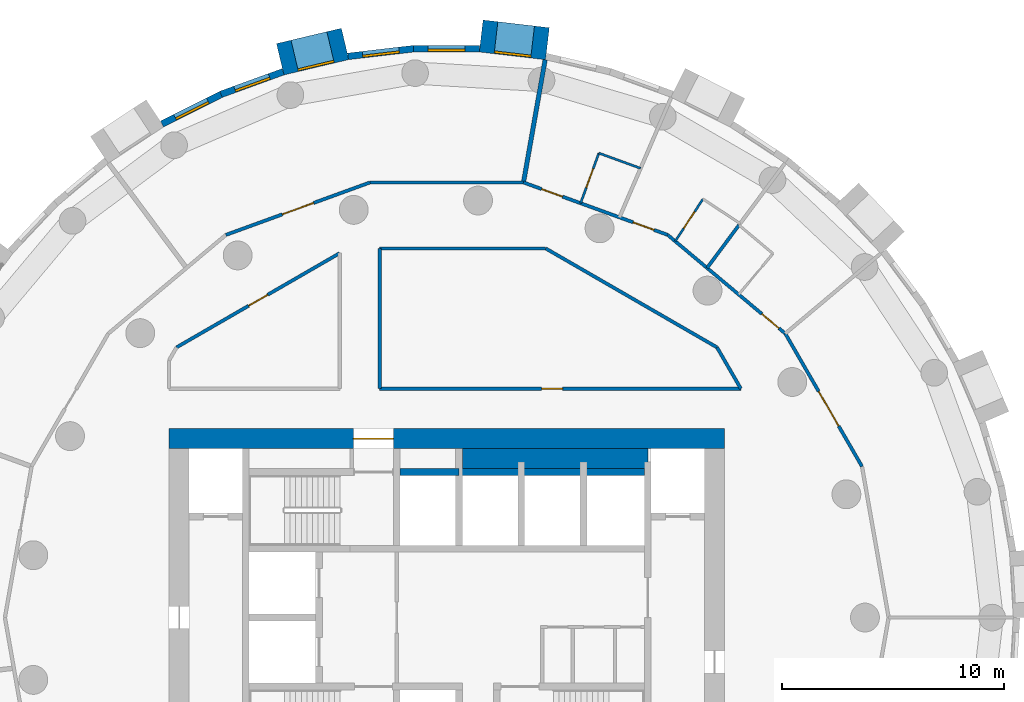
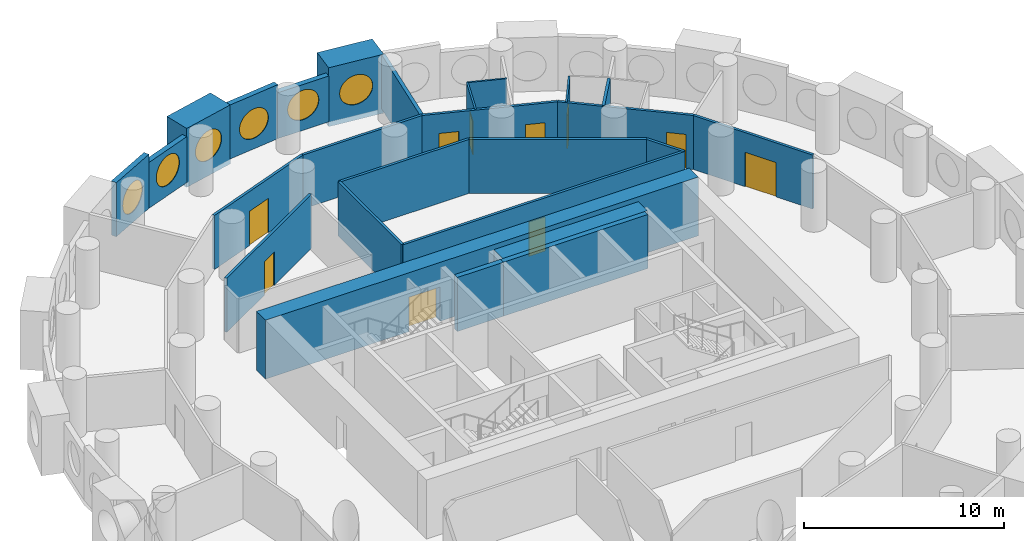
# One storey, part 6 of 9: 26 walls, 10 doors, 6 windows, 16 openings.
"""IFC4 building model written with IfcOpenShell, lengths in metres."""

import ifcopenshell
import ifcopenshell.guid

model = None  # the IFC model being written
_history = None  # IfcOwnerHistory: only IFC2X3 demands one
_inside = {}  # id of a spatial element -> (the spatial element, [elements in it])
_under = {}  # id of a project, library or spatial element -> (it, [spatial elements below it])
_declared = {}  # id of a project -> (the project, [libraries it declares])
_typed = {}  # id of a type object -> (the type object, [elements of that type])
_made_of = {}  # id of a material, layer set ... -> (it, [elements and type objects made of it])


def new_model(schema):
    """Start an empty IFC model of exactly this schema.

    Asked for "IFC4X3", IfcOpenShell would pick the latest addendum, in which some entities
    have other attributes; the version numbers below select the first issue.
    IFC2X3 requires an IfcOwnerHistory on every rooted entity: one is made here for all.
    """
    global model, _history
    if schema == "IFC4X3":
        model = ifcopenshell.file(schema_version=(4, 3, 0, 0))
    else:
        model = ifcopenshell.file(schema=schema)
    _inside.clear()
    _under.clear()
    _declared.clear()
    _typed.clear()
    _made_of.clear()
    _history = None
    if model.schema == "IFC2X3":
        org = make("IfcOrganization", Name="unknown")
        user = make(
            "IfcPersonAndOrganization",
            ThePerson=make("IfcPerson", FamilyName="unknown"),
            TheOrganization=org,
        )
        app = make(
            "IfcApplication",
            ApplicationDeveloper=org,
            Version="unknown",
            ApplicationFullName="unknown",
            ApplicationIdentifier="unknown",
        )
        _history = make(
            "IfcOwnerHistory",
            OwningUser=user,
            OwningApplication=app,
            ChangeAction="ADDED",
            CreationDate=0,
        )
    return model


def make(cls, **values):
    """One entity of the class cls with the attributes given. An attribute that is None is left unset."""
    return model.create_entity(
        cls, **{name: value for name, value in values.items() if value is not None}
    )


def rooted(cls, **values):
    """An entity with a GlobalId (a new one), such as an element, a storey or a relation."""
    return make(cls, GlobalId=ifcopenshell.guid.new(), OwnerHistory=_history, **values)


def si_unit(unit_type, name, prefix=None):
    """IfcSIUnit, for example si_unit("LENGTHUNIT", "METRE", prefix="MILLI")."""
    return make("IfcSIUnit", UnitType=unit_type, Prefix=prefix, Name=name)


def assignment(units):
    """IfcUnitAssignment: the units of a project."""
    return None if units is None else make("IfcUnitAssignment", Units=units)


def point(xyz):
    """IfcCartesianPoint."""
    return None if xyz is None else make("IfcCartesianPoint", Coordinates=xyz)


def direction(xyz):
    """IfcDirection."""
    return None if xyz is None else make("IfcDirection", DirectionRatios=xyz)


def frame(location, z_axis=None, x_axis=None):
    """IfcAxis2Placement3D, a coordinate frame: its origin and axes. An axis left out is left unset."""
    return make(
        "IfcAxis2Placement3D",
        Location=point(location),
        Axis=direction(z_axis),
        RefDirection=direction(x_axis),
    )


def frame_2d(location, x_axis=None):
    """IfcAxis2Placement2D, a coordinate frame in the plane: its origin and x axis."""
    return make(
        "IfcAxis2Placement2D", Location=point(location), RefDirection=direction(x_axis)
    )


def origin():
    """The frame at (0, 0, 0) with its axes left unset."""
    return frame((0.0, 0.0, 0.0))


def origin_2d():
    """The frame at (0, 0) in the plane with its x axis left unset."""
    return frame_2d((0.0, 0.0))


def place(relative_to, where):
    """IfcLocalPlacement: puts the frame where relative to a parent placement (None: the world)."""
    return make(
        "IfcLocalPlacement", PlacementRelTo=relative_to, RelativePlacement=where
    )


def context(
    kind, dimensions, precision=None, world=None, true_north=None, identifier=None
):
    """IfcGeometricRepresentationContext, for example the 3D "Model" context."""
    return make(
        "IfcGeometricRepresentationContext",
        ContextIdentifier=identifier,
        ContextType=kind,
        CoordinateSpaceDimension=dimensions,
        Precision=precision,
        WorldCoordinateSystem=world,
        TrueNorth=true_north,
    )


def subcontext(parent, identifier, kind, view, scale=None):
    """IfcGeometricRepresentationSubContext, for example "Body" below "Model"."""
    return make(
        "IfcGeometricRepresentationSubContext",
        ContextIdentifier=identifier,
        ContextType=kind,
        ParentContext=parent,
        TargetScale=scale,
        TargetView=view,
    )


def project(units=None, contexts=None):
    """IfcProject with its units and contexts."""
    return rooted(
        "IfcProject",
        Name="project",
        RepresentationContexts=contexts,
        UnitsInContext=assignment(units),
    )


def spatial(cls, under=None, at=None, **own):
    """A site, building, storey or space (cls), placed at a placement, below another one or the project."""
    s = rooted(cls, ObjectPlacement=at, **own)
    if under is not None:
        _under.setdefault(under.id(), (under, []))[1].append(s)
    return s


def profile(cls, at=None, kind="AREA", **sizes):
    """A parametric profile (cls). Its sizes go by their IFC names, for example OverallWidth=200.0."""
    return make(cls, ProfileType=kind, Position=at, **sizes)


def rectangle(**sizes):
    """IfcRectangleProfileDef."""
    return profile("IfcRectangleProfileDef", **sizes)


def circle(**sizes):
    """IfcCircleProfileDef."""
    return profile("IfcCircleProfileDef", **sizes)


def extrude(swept, where, along, depth):
    """IfcExtrudedAreaSolid: the profile swept, set in the frame where, extruded along a direction by depth."""
    return make(
        "IfcExtrudedAreaSolid",
        SweptArea=swept,
        Position=where,
        ExtrudedDirection=direction(along),
        Depth=depth,
    )


def shape(context_of_items, identifier, shape_type, items):
    """IfcShapeRepresentation: the items that make up one representation, for example the "Body"."""
    return make(
        "IfcShapeRepresentation",
        ContextOfItems=context_of_items,
        RepresentationIdentifier=identifier,
        RepresentationType=shape_type,
        Items=items,
    )


def material(Name=None, Category=None):
    """IfcMaterial."""
    return make("IfcMaterial", Name=Name, Category=Category)


def layer(
    of_material, thickness, ventilated=None, Name=None, Category=None, Priority=None
):
    """IfcMaterialLayer: one layer of a wall or slab, of a material (None: an air gap)."""
    return make(
        "IfcMaterialLayer",
        Material=of_material,
        LayerThickness=thickness,
        IsVentilated=ventilated,
        Name=Name,
        Category=Category,
        Priority=Priority,
    )


def layer_set(layers, Name=None):
    """IfcMaterialLayerSet."""
    return make("IfcMaterialLayerSet", MaterialLayers=layers, LayerSetName=Name)


def made_of(thing, what):
    """Note that an element or type object is made of a material, layer set ...; save() writes the relation."""
    if what is not None:
        _made_of.setdefault(what.id(), (what, []))[1].append(thing)
    return thing


def type_object(cls, material=None, **own):
    """A type object (cls), such as IfcWallType, which elements share."""
    return made_of(rooted(cls, **own), material)


def element(
    cls,
    number,
    at=None,
    inside=None,
    cuts=None,
    type_object=None,
    material=None,
    context=None,
    identifier="Body",
    shape_type=None,
    held_by="IfcProductDefinitionShape",
    body=None,
    shapes=None,
    **own,
):
    """One element of the class cls, such as IfcWall. Its Tag is "e" and its number.

    at: its placement. inside: the storey or other place that contains it. cuts: it is an
    opening in that element (IfcRelVoidsElement). A single representation is given by context,
    identifier, shape_type and body (its items); several are given by shapes. held_by: the class
    of the entity that holds the representations. save() writes the other relations.
    """
    e = rooted(cls, Tag="e%d" % number, ObjectPlacement=at, **own)
    if body is not None:
        shapes = [shape(context, identifier, shape_type, body)]
    if shapes is not None:
        e.Representation = make(held_by, Representations=shapes)
    if inside is not None:
        _inside.setdefault(inside.id(), (inside, []))[1].append(e)
    if cuts is not None:
        rooted(
            "IfcRelVoidsElement", RelatingBuildingElement=cuts, RelatedOpeningElement=e
        )
    if type_object is not None:
        _typed.setdefault(type_object.id(), (type_object, []))[1].append(e)
    return made_of(e, material)


def fill(opening, filler):
    """IfcRelFillsElement: the door or window that sits in an opening."""
    return rooted(
        "IfcRelFillsElement",
        RelatingOpeningElement=opening,
        RelatedBuildingElement=filler,
    )


def aggregate(whole, parts):
    """IfcRelAggregates: a whole, such as a stair, and the parts it consists of."""
    return rooted("IfcRelAggregates", RelatingObject=whole, RelatedObjects=parts)


def save(model, path):
    """Write the relations noted so far, then the file.

    IfcRelAggregates (storeys below a building ...), IfcRelContainedInSpatialStructure (elements
    in a storey), IfcRelDefinesByType, IfcRelAssociatesMaterial and IfcRelDeclares: one each for
    every whole, place, type object, material and project.
    """
    for whole, parts in _under.values():
        aggregate(whole, parts)
    for where, things in _inside.values():
        rooted(
            "IfcRelContainedInSpatialStructure",
            RelatedElements=things,
            RelatingStructure=where,
        )
    for kind, things in _typed.values():
        rooted("IfcRelDefinesByType", RelatedObjects=things, RelatingType=kind)
    for what, things in _made_of.values():
        rooted("IfcRelAssociatesMaterial", RelatedObjects=things, RelatingMaterial=what)
    for by, libraries in _declared.values():
        rooted("IfcRelDeclares", RelatingContext=by, RelatedDefinitions=libraries)
    model.write(path)


model = new_model("IFC4")

# Units and contexts
model_context = context("Model", 3, precision=1e-05, world=origin(), true_north=direction((0.0, 1.0)))
body_context = subcontext(model_context, "Body", "Model", "MODEL_VIEW")
ifc_project = project(units=[si_unit("LENGTHUNIT", "METRE"), si_unit("AREAUNIT", "SQUARE_METRE"), si_unit("VOLUMEUNIT", "CUBIC_METRE"), si_unit("PLANEANGLEUNIT", "RADIAN"), si_unit("MASSUNIT", "GRAM", prefix="KILO")], contexts=[model_context])

# Site, building, storey
site_placement = place(None, origin())
site = spatial("IfcSite", under=ifc_project, at=site_placement, CompositionType="ELEMENT")
building_placement = place(site_placement, origin())
building = spatial("IfcBuilding", under=site, at=building_placement, Name="Tracery Tower", CompositionType="ELEMENT")
storey_placement = place(building_placement, frame((0.0, 0.0, 154.800048828125)))
storey = spatial("IfcBuildingStorey", under=building, at=storey_placement, Name="L39", CompositionType="ELEMENT", Elevation=154.800048828125)

# Wall
ifc_material_1 = material(Name="Concrete C50/60", Category="concrete")
ifc_layer_1 = layer(ifc_material_1, 0.89990234375)
ifc_layer_set_1 = layer_set([ifc_layer_1], Name="Core strip wall 900 C50")
wall_type_1 = type_object("IfcWallType", Name="Core strip wall 900 C50", PredefinedType="SOLIDWALL", material=ifc_layer_set_1)
wall_1_placement = place(storey_placement, frame((0.699951171875, 7.14990234375, 0.0), z_axis=(0.0, 0.0, 1.0), x_axis=(1.0, 0.0, 0.0)))
element("IfcWall", 1, at=wall_1_placement, inside=storey, type_object=wall_type_1, Name="L39 F thick N E", PredefinedType="SOLIDWALL", context=body_context, shape_type="SweptSolid", body=[
    extrude(rectangle(XDim=8.35009765625, YDim=0.89990234375, at=frame_2d((4.175048828125, 0.0))), origin(), (0.0, 0.0, 1.0), 3.300048828125),
])

# Wall, opening, door
ifc_material_2 = material(Name="Concrete C50/60", Category="concrete")
ifc_layer_2 = layer(ifc_material_2, 0.89990234375)
ifc_layer_set_2 = layer_set([ifc_layer_2], Name="Core wall 900 C50")
wall_type_2 = type_object("IfcWallType", Name="Core wall 900 C50", PredefinedType="SOLIDWALL", material=ifc_layer_set_2)
wall_2_placement = place(storey_placement, frame((-12.5, 8.050048828125, 0.0), z_axis=(0.0, 0.0, 1.0), x_axis=(1.0, 0.0, 0.0)))
wall_2 = element("IfcWall", 2, at=wall_2_placement, inside=storey, type_object=wall_type_2, Name="L39 outer N", PredefinedType="SOLIDWALL", context=body_context, shape_type="SweptSolid", body=[
    extrude(rectangle(XDim=25.0, YDim=0.89990234375, at=frame_2d((12.5, 0.0))), origin(), (0.0, 0.0, 1.0), 3.599853515625),
])
opening_1_placement = place(wall_2_placement, frame((8.300048828125, 0.0, 0.0)))
opening_1 = element("IfcOpeningElement", 3, at=opening_1_placement, cuts=wall_2, Name="Opening KD13", PredefinedType="OPENING", context=body_context, shape_type="SweptSolid", body=[
    extrude(rectangle(XDim=1.800048828125, YDim=2.10009765625, at=frame_2d((0.89990234375, 1.050048828125))), frame((0.0, 0.449951171875, 0.0), z_axis=(0.0, -1.0, 0.0), x_axis=(1.0, 0.0, 0.0)), (0.0, 0.0, 1.0), 0.89990234375),
])
ifc_material_3 = material(Name="Steel fire door", Category="steel")
door_type_1 = type_object("IfcDoorType", Name="Core exit door 1800 double", OperationType="NOTDEFINED", PredefinedType="DOOR", material=ifc_material_3)
door_1_placement = place(opening_1_placement, origin())
door_1 = element("IfcDoor", 4, at=door_1_placement, inside=storey, type_object=door_type_1, Name="Core exit door", OperationType="DOUBLE_DOOR_SINGLE_SWING", OverallHeight=2.10009765625, OverallWidth=1.800048828125, PredefinedType="DOOR", context=body_context, shape_type="SweptSolid", body=[
    extrude(rectangle(XDim=1.800048828125, YDim=2.10009765625, at=frame_2d((0.89990234375, 1.050048828125))), frame((0.0, 0.02490234375, 0.0), z_axis=(0.0, -1.0, 0.0), x_axis=(1.0, 0.0, 0.0)), (0.0, 0.0, 1.0), 0.050048828125),
])
fill(opening_1, door_1)

# Wall, opening, window
ifc_material_4 = material(Name="Precast concrete C50/60", Category="concrete")
ifc_layer_3 = layer(ifc_material_4, 1.449951171875)
ifc_layer_set_3 = layer_set([ifc_layer_3], Name="Deep-set bay unit 3000 x 3600, slab edge 300")
wall_type_3 = type_object("IfcWallType", Name="Deep-set bay unit 3000 x 3600, slab edge 300", PredefinedType="ELEMENTEDWALL", material=ifc_layer_set_3)
wall_3_placement = place(storey_placement, frame((4.529052734375, 25.827880859375, -0.300048828125), z_axis=(0.0, 0.0, 1.0), x_axis=(-0.9932342274, 0.116128246006, 0.0)))
wall_3 = element("IfcWall", 5, at=wall_3_placement, inside=storey, type_object=wall_type_3, Name="Deep-set bay unit 13 at L39", PredefinedType="ELEMENTEDWALL", context=body_context, shape_type="SweptSolid", body=[
    extrude(rectangle(XDim=3.0, YDim=1.449951171875, at=frame_2d((1.5, 0.0))), origin(), (0.0, 0.0, 1.0), 3.60009765625),
])
opening_2_placement = place(wall_3_placement, frame((1.5, 0.0, 1.85009765625)))
opening_2 = element("IfcOpeningElement", 6, at=opening_2_placement, cuts=wall_3, Name="Opening WN1", PredefinedType="OPENING", context=body_context, shape_type="SweptSolid", body=[
    extrude(circle(Radius=0.9000244140625, at=origin_2d()), frame((0.0, 0.73486328125, 0.0), z_axis=(0.0, -1.0, 0.0), x_axis=(1.0, 0.0, 0.0)), (0.0, 0.0, 1.0), 1.469970703125),
])
ifc_material_5 = material(Name="Aluminium frame with tinted double glazing", Category="aluminium")
window_type = type_object("IfcWindowType", Name="Round window 1800", PartitioningType="SINGLE_PANEL", PredefinedType="WINDOW", material=ifc_material_5)
window_1_placement = place(opening_2_placement, origin())
window_1 = element("IfcWindow", 7, at=window_1_placement, inside=storey, type_object=window_type, Name="Round window 13 at L39", OverallHeight=1.800048828125, OverallWidth=1.800048828125, PartitioningType="SINGLE_PANEL", PredefinedType="WINDOW", context=body_context, shape_type="SweptSolid", body=[
    extrude(circle(Radius=0.9000244140625, at=origin_2d()), frame((0.0, 0.69482421875, 0.0), z_axis=(0.0, -1.0, 0.0), x_axis=(1.0, 0.0, 0.0)), (0.0, 0.0, 1.0), 0.10009765625),
])
fill(opening_2, window_1)

wall_4_placement = place(storey_placement, frame((-4.57763671875, 25.8193359375, -0.300048828125), z_axis=(0.0, 0.0, 1.0), x_axis=(-0.973042333261, -0.23062657627, 0.0)))
wall_4 = element("IfcWall", 8, at=wall_4_placement, inside=storey, type_object=wall_type_3, Name="Deep-set bay unit 16 at L39", PredefinedType="ELEMENTEDWALL", context=body_context, shape_type="SweptSolid", body=[
    extrude(rectangle(XDim=3.0, YDim=1.449951171875, at=frame_2d((1.5, 0.0))), origin(), (0.0, 0.0, 1.0), 3.60009765625),
])
opening_3_placement = place(wall_4_placement, frame((1.5, 0.0, 1.85009765625)))
opening_3 = element("IfcOpeningElement", 9, at=opening_3_placement, cuts=wall_4, Name="Opening WN1", PredefinedType="OPENING", context=body_context, shape_type="SweptSolid", body=[
    extrude(circle(Radius=0.9000244140625, at=origin_2d()), frame((0.0, 0.73486328125, 0.0), z_axis=(0.0, -1.0, 0.0), x_axis=(1.0, 0.0, 0.0)), (0.0, 0.0, 1.0), 1.469970703125),
])
window_2_placement = place(opening_3_placement, origin())
window_2 = element("IfcWindow", 10, at=window_2_placement, inside=storey, type_object=window_type, Name="Round window 16 at L39", OverallHeight=1.800048828125, OverallWidth=1.800048828125, PartitioningType="SINGLE_PANEL", PredefinedType="WINDOW", context=body_context, shape_type="SweptSolid", body=[
    extrude(circle(Radius=0.9000244140625, at=origin_2d()), frame((0.0, 0.69482421875, 0.0), z_axis=(0.0, -1.0, 0.0), x_axis=(1.0, 0.0, 0.0)), (0.0, 0.0, 1.0), 0.10009765625),
])
fill(opening_3, window_2)

ifc_material_6 = material(Name="Precast concrete C50/60", Category="concrete")
ifc_layer_4 = layer(ifc_material_6, 0.300048828125)
ifc_layer_set_4 = layer_set([ifc_layer_4], Name="Facade panel 3000 x 2800")
wall_type_4 = type_object("IfcWallType", Name="Facade panel 3000 x 2800", PredefinedType="SOLIDWALL", material=ifc_layer_set_4)
wall_5_placement = place(storey_placement, frame((1.481689453125, 25.60400390625, 0.0), z_axis=(0.0, 0.0, 1.0), x_axis=(-1.0, 0.0, 0.0)))
wall_5 = element("IfcWall", 11, at=wall_5_placement, inside=storey, type_object=wall_type_4, Name="Facade panel 14 at L39", PredefinedType="SOLIDWALL", context=body_context, shape_type="SweptSolid", body=[
    extrude(rectangle(XDim=2.972900390625, YDim=0.300048828125, at=frame_2d((1.486328125, 0.0))), origin(), (0.0, 0.0, 1.0), 2.800048828125),
])
opening_4_placement = place(wall_5_placement, frame((1.486328125, 0.0, 1.5498046875)))
opening_4 = element("IfcOpeningElement", 12, at=opening_4_placement, cuts=wall_5, Name="Opening WN1", PredefinedType="OPENING", context=body_context, shape_type="SweptSolid", body=[
    extrude(circle(Radius=0.9000244140625, at=origin_2d()), frame((0.0, 0.159912109375, 0.0), z_axis=(0.0, -1.0, 0.0), x_axis=(1.0, 0.0, 0.0)), (0.0, 0.0, 1.0), 0.320068359375),
])
window_3_placement = place(opening_4_placement, origin())
window_3 = element("IfcWindow", 13, at=window_3_placement, inside=storey, type_object=window_type, Name="Round window 14 at L39", OverallHeight=1.800048828125, OverallWidth=1.800048828125, PartitioningType="SINGLE_PANEL", PredefinedType="WINDOW", context=body_context, shape_type="SweptSolid", body=[
    extrude(circle(Radius=0.9000244140625, at=origin_2d()), frame((0.0, 0.1201171875, 0.0), z_axis=(0.0, -1.0, 0.0), x_axis=(1.0, 0.0, 0.0)), (0.0, 0.0, 1.0), 0.10009765625),
])
fill(opening_4, window_3)

wall_6_placement = place(storey_placement, frame((-7.36474609375, 24.566650390625, 0.0), z_axis=(0.0, 0.0, 1.0), x_axis=(-0.939690282133, -0.342026568652, 0.0)))
wall_6 = element("IfcWall", 14, at=wall_6_placement, inside=storey, type_object=wall_type_4, Name="Facade panel 17 at L39", PredefinedType="SOLIDWALL", context=body_context, shape_type="SweptSolid", body=[
    extrude(rectangle(XDim=2.972900390625, YDim=0.300048828125, at=frame_2d((1.486328125, 0.0))), origin(), (0.0, 0.0, 1.0), 2.800048828125),
])
opening_5_placement = place(wall_6_placement, frame((1.486328125, 0.0, 1.5498046875)))
opening_5 = element("IfcOpeningElement", 15, at=opening_5_placement, cuts=wall_6, Name="Opening WN1", PredefinedType="OPENING", context=body_context, shape_type="SweptSolid", body=[
    extrude(circle(Radius=0.9000244140625, at=origin_2d()), frame((0.0, 0.159912109375, 0.0), z_axis=(0.0, -1.0, 0.0), x_axis=(1.0, 0.0, 0.0)), (0.0, 0.0, 1.0), 0.320068359375),
])
window_4_placement = place(opening_5_placement, origin())
window_4 = element("IfcWindow", 16, at=window_4_placement, inside=storey, type_object=window_type, Name="Round window 17 at L39", OverallHeight=1.800048828125, OverallWidth=1.800048828125, PartitioningType="SINGLE_PANEL", PredefinedType="WINDOW", context=body_context, shape_type="SweptSolid", body=[
    extrude(circle(Radius=0.9000244140625, at=origin_2d()), frame((0.0, 0.1201171875, 0.0), z_axis=(0.0, -1.0, 0.0), x_axis=(1.0, 0.0, 0.0)), (0.0, 0.0, 1.0), 0.10009765625),
])
fill(opening_5, window_4)

ifc_material_7 = material(Name="Precast concrete C50/60", Category="concrete")
ifc_layer_5 = layer(ifc_material_7, 0.300048828125)
ifc_layer_set_5 = layer_set([ifc_layer_5], Name="Facade panel 3000 x 3300")
wall_type_5 = type_object("IfcWallType", Name="Facade panel 3000 x 3300", PredefinedType="SOLIDWALL", material=ifc_layer_set_5)
wall_7_placement = place(storey_placement, frame((-1.4912109375, 25.60400390625, 0.0), z_axis=(0.0, 0.0, 1.0), x_axis=(-0.993245010522, -0.1160359818, 0.0)))
wall_7 = element("IfcWall", 17, at=wall_7_placement, inside=storey, type_object=wall_type_5, Name="Facade panel 15 at L39", PredefinedType="SOLIDWALL", context=body_context, shape_type="SweptSolid", body=[
    extrude(rectangle(XDim=2.972900390625, YDim=0.300048828125, at=frame_2d((1.486328125, 0.0))), origin(), (0.0, 0.0, 1.0), 3.300048828125),
])
opening_6_placement = place(wall_7_placement, frame((1.486328125, 0.0, 1.5498046875)))
opening_6 = element("IfcOpeningElement", 18, at=opening_6_placement, cuts=wall_7, Name="Opening WN1", PredefinedType="OPENING", context=body_context, shape_type="SweptSolid", body=[
    extrude(circle(Radius=0.9000244140625, at=origin_2d()), frame((0.0, 0.159912109375, 0.0), z_axis=(0.0, -1.0, 0.0), x_axis=(1.0, 0.0, 0.0)), (0.0, 0.0, 1.0), 0.320068359375),
])
window_5_placement = place(opening_6_placement, origin())
window_5 = element("IfcWindow", 19, at=window_5_placement, inside=storey, type_object=window_type, Name="Round window 15 at L39", OverallHeight=1.800048828125, OverallWidth=1.800048828125, PartitioningType="SINGLE_PANEL", PredefinedType="WINDOW", context=body_context, shape_type="SweptSolid", body=[
    extrude(circle(Radius=0.9000244140625, at=origin_2d()), frame((0.0, 0.1201171875, 0.0), z_axis=(0.0, -1.0, 0.0), x_axis=(1.0, 0.0, 0.0)), (0.0, 0.0, 1.0), 0.10009765625),
])
fill(opening_6, window_5)

wall_8_placement = place(storey_placement, frame((-10.158447265625, 23.5498046875, 0.0), z_axis=(0.0, 0.0, 1.0), x_axis=(-0.893637442555, -0.448789618045, 0.0)))
wall_8 = element("IfcWall", 20, at=wall_8_placement, inside=storey, type_object=wall_type_5, Name="Facade panel 18 at L39", PredefinedType="SOLIDWALL", context=body_context, shape_type="SweptSolid", body=[
    extrude(rectangle(XDim=2.972900390625, YDim=0.300048828125, at=frame_2d((1.486328125, 0.0))), origin(), (0.0, 0.0, 1.0), 3.300048828125),
])
opening_7_placement = place(wall_8_placement, frame((1.486328125, 0.0, 1.5498046875)))
opening_7 = element("IfcOpeningElement", 21, at=opening_7_placement, cuts=wall_8, Name="Opening WN1", PredefinedType="OPENING", context=body_context, shape_type="SweptSolid", body=[
    extrude(circle(Radius=0.9000244140625, at=origin_2d()), frame((0.0, 0.159912109375, 0.0), z_axis=(0.0, -1.0, 0.0), x_axis=(1.0, 0.0, 0.0)), (0.0, 0.0, 1.0), 0.320068359375),
])
window_6_placement = place(opening_7_placement, origin())
window_6 = element("IfcWindow", 22, at=window_6_placement, inside=storey, type_object=window_type, Name="Round window 18 at L39", OverallHeight=1.800048828125, OverallWidth=1.800048828125, PartitioningType="SINGLE_PANEL", PredefinedType="WINDOW", context=body_context, shape_type="SweptSolid", body=[
    extrude(circle(Radius=0.9000244140625, at=origin_2d()), frame((0.0, 0.1201171875, 0.0), z_axis=(0.0, -1.0, 0.0), x_axis=(1.0, 0.0, 0.0)), (0.0, 0.0, 1.0), 0.10009765625),
])
fill(opening_7, window_6)

# Wall, opening, door
ifc_material_8 = material(Name="Plasterboard on steel studs", Category="steel")
ifc_layer_6 = layer(ifc_material_8, 0.10009765625)
ifc_layer_set_6 = layer_set([ifc_layer_6], Name="Partition 100 wet wall")
wall_type_6 = type_object("IfcWallType", Name="Partition 100 wet wall", PredefinedType="PARTITIONING", material=ifc_layer_set_6)
wall_9_placement = place(storey_placement, frame((10.281982421875, 16.93896484375, 0.0), z_axis=(0.0, 0.0, 1.0), x_axis=(0.549730960803, 0.83534176882, 0.0)))
wall_9 = element("IfcWall", 23, at=wall_9_placement, inside=storey, type_object=wall_type_6, Name="Wet wall RB3-046", PredefinedType="PARTITIONING", context=body_context, shape_type="SweptSolid", body=[
    extrude(rectangle(XDim=2.27197265625, YDim=0.10009765625, at=frame_2d((1.135986328125, 0.0))), origin(), (0.0, 0.0, 1.0), 3.300048828125),
])
opening_8_placement = place(wall_9_placement, frame((0.68603515625, 0.0, 0.0)))
opening_8 = element("IfcOpeningElement", 24, at=opening_8_placement, cuts=wall_9, Name="Opening RB3-08", PredefinedType="OPENING", context=body_context, shape_type="SweptSolid", body=[
    extrude(rectangle(XDim=0.89990234375, YDim=2.0400390625, at=frame_2d((0.449951171875, 1.02001953125))), frame((0.0, 0.050048828125, 0.0), z_axis=(0.0, -1.0, 0.0), x_axis=(1.0, 0.0, 0.0)), (0.0, 0.0, 1.0), 0.10009765625),
])
ifc_material_9 = material(Name="Timber door leaf", Category="wood")
door_type_2 = type_object("IfcDoorType", Name="Door en-suite 900", OperationType="NOTDEFINED", PredefinedType="DOOR", material=ifc_material_9)
door_2_placement = place(opening_8_placement, origin())
door_2 = element("IfcDoor", 25, at=door_2_placement, inside=storey, type_object=door_type_2, Name="En-suite door RB3-08", OperationType="SINGLE_SWING_LEFT", OverallHeight=2.0400390625, OverallWidth=0.89990234375, PredefinedType="DOOR", context=body_context, shape_type="SweptSolid", body=[
    extrude(rectangle(XDim=0.89990234375, YDim=2.0400390625, at=frame_2d((0.449951171875, 1.02001953125))), frame((0.0, 0.02490234375, 0.0), z_axis=(0.0, -1.0, 0.0), x_axis=(1.0, 0.0, 0.0)), (0.0, 0.0, 1.0), 0.050048828125),
])
fill(opening_8, door_2)

# Wall
wall_10_placement = place(storey_placement, frame((6.844970703125, 20.905029296875, 0.0), z_axis=(0.0, 0.0, 1.0), x_axis=(0.939757747305, -0.341841156651, 0.0)))
element("IfcWall", 26, at=wall_10_placement, inside=storey, type_object=wall_type_6, Name="Wet wall RB3-048", PredefinedType="PARTITIONING", context=body_context, shape_type="SweptSolid", body=[
    extrude(rectangle(XDim=1.998291015625, YDim=0.10009765625, at=frame_2d((0.9990234375, 0.0))), origin(), (0.0, 0.0, 1.0), 3.300048828125),
])

# Wall, opening, door
wall_11_placement = place(storey_placement, frame((6.02392578125, 18.64990234375, 0.0), z_axis=(0.0, 0.0, 1.0), x_axis=(0.342110593602, 0.939659694648, 0.0)))
wall_11 = element("IfcWall", 27, at=wall_11_placement, inside=storey, type_object=wall_type_6, Name="Wet wall RB3-049", PredefinedType="PARTITIONING", context=body_context, shape_type="SweptSolid", body=[
    extrude(rectangle(XDim=2.39990234375, YDim=0.10009765625, at=frame_2d((1.199951171875, 0.0))), origin(), (0.0, 0.0, 1.0), 3.300048828125),
])
opening_9_placement = place(wall_11_placement, frame((0.749755859375, 0.0, 0.0)))
opening_9 = element("IfcOpeningElement", 28, at=opening_9_placement, cuts=wall_11, Name="Opening RB3-10", PredefinedType="OPENING", context=body_context, shape_type="SweptSolid", body=[
    extrude(rectangle(XDim=0.89990234375, YDim=2.0400390625, at=frame_2d((0.449951171875, 1.02001953125))), frame((0.0, 0.050048828125, 0.0), z_axis=(0.0, -1.0, 0.0), x_axis=(1.0, 0.0, 0.0)), (0.0, 0.0, 1.0), 0.10009765625),
])
door_3_placement = place(opening_9_placement, origin())
door_3 = element("IfcDoor", 29, at=door_3_placement, inside=storey, type_object=door_type_2, Name="En-suite door RB3-10", OperationType="SINGLE_SWING_RIGHT", OverallHeight=2.0400390625, OverallWidth=0.89990234375, PredefinedType="DOOR", context=body_context, shape_type="SweptSolid", body=[
    extrude(rectangle(XDim=0.89990234375, YDim=2.0400390625, at=frame_2d((0.449951171875, 1.02001953125))), frame((0.0, 0.02490234375, 0.0), z_axis=(0.0, -1.0, 0.0), x_axis=(1.0, 0.0, 0.0)), (0.0, 0.0, 1.0), 0.050048828125),
])
fill(opening_9, door_3)

# Wall
ifc_material_10 = material(Name="Plasterboard on steel studs", Category="steel")
ifc_layer_7 = layer(ifc_material_10, 0.14990234375)
ifc_layer_set_7 = layer_set([ifc_layer_7], Name="Partition 150 acoustic unit wall")
wall_type_7 = type_object("IfcWallType", Name="Partition 150 acoustic unit wall", PredefinedType="PARTITIONING", material=ifc_layer_set_7)
wall_12_placement = place(storey_placement, frame((11.716064453125, 15.737060546875, 0.0), z_axis=(0.0, 0.0, 1.0), x_axis=(0.597021412293, 0.802225300813, 0.0)))
element("IfcWall", 30, at=wall_12_placement, inside=storey, type_object=wall_type_7, Name="Unit wall RB3-044", PredefinedType="PARTITIONING", context=body_context, shape_type="SweptSolid", body=[
    extrude(rectangle(XDim=2.4033203125, YDim=0.14990234375, at=frame_2d((1.20166015625, 0.0))), origin(), (0.0, 0.0, 1.0), 3.300048828125),
])

# Wall, opening, door
ifc_material_11 = material(Name="Plasterboard on steel studs", Category="steel")
ifc_layer_8 = layer(ifc_material_11, 0.14990234375)
ifc_layer_set_8 = layer_set([ifc_layer_8], Name="Partition 150 corridor wall")
wall_type_8 = type_object("IfcWallType", Name="Partition 150 corridor wall", PredefinedType="PARTITIONING", material=ifc_layer_set_8)
wall_13_placement = place(storey_placement, frame((-3.02490234375, 10.300048828125, 0.0), z_axis=(0.0, 0.0, 1.0), x_axis=(1.0, 0.0, 0.0)))
wall_13 = element("IfcWall", 31, at=wall_13_placement, inside=storey, type_object=wall_type_8, Name="Corridor wall RB3-002", PredefinedType="PARTITIONING", context=body_context, shape_type="SweptSolid", body=[
    extrude(rectangle(XDim=16.261962890625, YDim=0.14990234375, at=frame_2d((8.130859375, 0.0))), origin(), (0.0, 0.0, 1.0), 3.300048828125),
])
opening_10_placement = place(wall_13_placement, frame((7.2880859375, 0.0, 0.0)))
opening_10 = element("IfcOpeningElement", 32, at=opening_10_placement, cuts=wall_13, Name="Opening RB3-02", PredefinedType="OPENING", context=body_context, shape_type="SweptSolid", body=[
    extrude(rectangle(XDim=0.949951171875, YDim=2.10009765625, at=frame_2d((0.47509765625, 1.050048828125))), frame((0.0, 0.074951171875, 0.0), z_axis=(0.0, -1.0, 0.0), x_axis=(1.0, 0.0, 0.0)), (0.0, 0.0, 1.0), 0.14990234375),
])
ifc_material_12 = material(Name="Timber door leaf", Category="wood")
door_type_3 = type_object("IfcDoorType", Name="Door store 950", OperationType="NOTDEFINED", PredefinedType="DOOR", material=ifc_material_12)
door_4_placement = place(opening_10_placement, origin())
door_4 = element("IfcDoor", 33, at=door_4_placement, inside=storey, type_object=door_type_3, Name="Store door RB3-02", OperationType="SINGLE_SWING_RIGHT", OverallHeight=2.10009765625, OverallWidth=0.949951171875, PredefinedType="DOOR", context=body_context, shape_type="SweptSolid", body=[
    extrude(rectangle(XDim=0.949951171875, YDim=2.10009765625, at=frame_2d((0.47509765625, 1.050048828125))), frame((0.0, 0.02490234375, 0.0), z_axis=(0.0, -1.0, 0.0), x_axis=(1.0, 0.0, 0.0)), (0.0, 0.0, 1.0), 0.050048828125),
])
fill(opening_10, door_4)

# Wall
wall_14_placement = place(storey_placement, frame((12.162109375, 12.162109375, 0.0), z_axis=(0.0, 0.0, 1.0), x_axis=(0.499961633463, -0.866047553582, 0.0)))
element("IfcWall", 34, at=wall_14_placement, inside=storey, type_object=wall_type_8, Name="Corridor wall RB3-005", PredefinedType="PARTITIONING", context=body_context, shape_type="SweptSolid", body=[
    extrude(rectangle(XDim=2.150146484375, YDim=0.14990234375, at=frame_2d((1.0751953125, 0.0))), origin(), (0.0, 0.0, 1.0), 3.300048828125),
])

# Wall, opening, door
wall_15_placement = place(storey_placement, frame((15.235107421875, 12.783935546875, 0.0), z_axis=(0.0, 0.0, 1.0), x_axis=(0.499914202267, -0.866074933462, 0.0)))
wall_15 = element("IfcWall", 35, at=wall_15_placement, inside=storey, type_object=wall_type_8, Name="Corridor wall RB3-007", PredefinedType="PARTITIONING", context=body_context, shape_type="SweptSolid", body=[
    extrude(rectangle(XDim=6.906982421875, YDim=0.14990234375, at=frame_2d((3.45361328125, 0.0))), origin(), (0.0, 0.0, 1.0), 3.300048828125),
])
opening_11_placement = place(wall_15_placement, frame((3.00390625, 0.0, 0.0)))
opening_11 = element("IfcOpeningElement", 36, at=opening_11_placement, cuts=wall_15, Name="Opening RB3-05", PredefinedType="OPENING", context=body_context, shape_type="SweptSolid", body=[
    extrude(rectangle(XDim=1.800048828125, YDim=2.10009765625, at=frame_2d((0.89990234375, 1.050048828125))), frame((0.0, 0.074951171875, 0.0), z_axis=(0.0, -1.0, 0.0), x_axis=(1.0, 0.0, 0.0)), (0.0, 0.0, 1.0), 0.14990234375),
])
ifc_material_13 = material(Name="Timber door leaf", Category="wood")
door_type_4 = type_object("IfcDoorType", Name="Door double lounge 1800", OperationType="NOTDEFINED", PredefinedType="DOOR", material=ifc_material_13)
door_5_placement = place(opening_11_placement, origin())
door_5 = element("IfcDoor", 37, at=door_5_placement, inside=storey, type_object=door_type_4, Name="Double lounge door RB3-05", OperationType="DOUBLE_DOOR_SINGLE_SWING", OverallHeight=2.10009765625, OverallWidth=1.800048828125, PredefinedType="DOOR", context=body_context, shape_type="SweptSolid", body=[
    extrude(rectangle(XDim=1.800048828125, YDim=2.10009765625, at=frame_2d((0.89990234375, 1.050048828125))), frame((0.0, 0.02490234375, 0.0), z_axis=(0.0, -1.0, 0.0), x_axis=(1.0, 0.0, 0.0)), (0.0, 0.0, 1.0), 0.050048828125),
])
fill(opening_11, door_5)

wall_16_placement = place(storey_placement, frame((9.943359375, 17.22216796875, 0.0), z_axis=(0.0, 0.0, 1.0), x_axis=(0.766192104565, -0.642611592567, 0.0)))
wall_16 = element("IfcWall", 38, at=wall_16_placement, inside=storey, type_object=wall_type_8, Name="Corridor wall RB3-009", PredefinedType="PARTITIONING", context=body_context, shape_type="SweptSolid", body=[
    extrude(rectangle(XDim=6.906494140625, YDim=0.14990234375, at=frame_2d((3.453125, 0.0))), origin(), (0.0, 0.0, 1.0), 3.300048828125),
])
opening_12_placement = place(wall_16_placement, frame((5.53662109375, 0.0, 0.0)))
opening_12 = element("IfcOpeningElement", 39, at=opening_12_placement, cuts=wall_16, Name="Opening RB3-07", PredefinedType="OPENING", context=body_context, shape_type="SweptSolid", body=[
    extrude(rectangle(XDim=1.0, YDim=2.10009765625, at=frame_2d((0.5, 1.050048828125))), frame((0.0, 0.074951171875, 0.0), z_axis=(0.0, -1.0, 0.0), x_axis=(1.0, 0.0, 0.0)), (0.0, 0.0, 1.0), 0.14990234375),
])
ifc_material_14 = material(Name="Timber door leaf", Category="wood")
door_type_5 = type_object("IfcDoorType", Name="Door unit entrance 1000", OperationType="NOTDEFINED", PredefinedType="DOOR", material=ifc_material_14)
door_6_placement = place(opening_12_placement, origin())
door_6 = element("IfcDoor", 40, at=door_6_placement, inside=storey, type_object=door_type_5, Name="Unit entrance door RB3-07", OperationType="SINGLE_SWING_RIGHT", OverallHeight=2.10009765625, OverallWidth=1.0, PredefinedType="DOOR", context=body_context, shape_type="SweptSolid", body=[
    extrude(rectangle(XDim=1.0, YDim=2.10009765625, at=frame_2d((0.5, 1.050048828125))), frame((0.0, 0.02490234375, 0.0), z_axis=(0.0, -1.0, 0.0), x_axis=(1.0, 0.0, 0.0)), (0.0, 0.0, 1.0), 0.050048828125),
])
fill(opening_12, door_6)

wall_17_placement = place(storey_placement, frame((-12.162109375, 12.162109375, 0.0), z_axis=(0.0, 0.0, 1.0), x_axis=(0.866004766557, 0.500035743023, 0.0)))
wall_17 = element("IfcWall", 41, at=wall_17_placement, inside=storey, type_object=wall_type_8, Name="Corridor wall RB3-014", PredefinedType="PARTITIONING", context=body_context, shape_type="SweptSolid", body=[
    extrude(rectangle(XDim=8.47705078125, YDim=0.14990234375, at=frame_2d((4.238525390625, 0.0))), origin(), (0.0, 0.0, 1.0), 3.300048828125),
])
opening_13_placement = place(wall_17_placement, frame((3.739013671875, 0.0, 0.0)))
opening_13 = element("IfcOpeningElement", 42, at=opening_13_placement, cuts=wall_17, Name="Opening RB3-01", PredefinedType="OPENING", context=body_context, shape_type="SweptSolid", body=[
    extrude(rectangle(XDim=1.0, YDim=2.0400390625, at=frame_2d((0.5, 1.02001953125))), frame((0.0, 0.074951171875, 0.0), z_axis=(0.0, -1.0, 0.0), x_axis=(1.0, 0.0, 0.0)), (0.0, 0.0, 1.0), 0.14990234375),
])
ifc_material_15 = material(Name="Timber door leaf", Category="wood")
door_type_6 = type_object("IfcDoorType", Name="Door communal room 1000", OperationType="NOTDEFINED", PredefinedType="DOOR", material=ifc_material_15)
door_7_placement = place(opening_13_placement, origin())
door_7 = element("IfcDoor", 43, at=door_7_placement, inside=storey, type_object=door_type_6, Name="Communal room door RB3-01", OperationType="SINGLE_SWING_LEFT", OverallHeight=2.0400390625, OverallWidth=1.0, PredefinedType="DOOR", context=body_context, shape_type="SweptSolid", body=[
    extrude(rectangle(XDim=1.0, YDim=2.0400390625, at=frame_2d((0.5, 1.02001953125))), frame((0.0, 0.02490234375, 0.0), z_axis=(0.0, -1.0, 0.0), x_axis=(1.0, 0.0, 0.0)), (0.0, 0.0, 1.0), 0.050048828125),
])
fill(opening_13, door_7)

# Walls
wall_18_placement = place(storey_placement, frame((4.451904296875, 16.614013671875, 0.0), z_axis=(0.0, 0.0, 1.0), x_axis=(0.866005203721, -0.500034985904, 0.0)))
element("IfcWall", 44, at=wall_18_placement, inside=storey, type_object=wall_type_8, Name="Corridor wall RB3-015", PredefinedType="PARTITIONING", context=body_context, shape_type="SweptSolid", body=[
    extrude(rectangle(XDim=8.903076171875, YDim=0.14990234375, at=frame_2d((4.45166015625, 0.0))), origin(), (0.0, 0.0, 1.0), 3.300048828125),
])
wall_19_placement = place(storey_placement, frame((-3.02099609375, 16.614013671875, 0.0), z_axis=(0.0, 0.0, 1.0), x_axis=(1.0, 0.0, 0.0)))
element("IfcWall", 45, at=wall_19_placement, inside=storey, type_object=wall_type_8, Name="Corridor wall RB3-016", PredefinedType="PARTITIONING", context=body_context, shape_type="SweptSolid", body=[
    extrude(rectangle(XDim=7.472900390625, YDim=0.14990234375, at=frame_2d((3.736328125, 0.0))), origin(), (0.0, 0.0, 1.0), 3.300048828125),
])
wall_20_placement = place(storey_placement, frame((-3.02099609375, 10.300048828125, 0.0), z_axis=(0.0, 0.0, 1.0), x_axis=(0.0, 1.0, 0.0)))
element("IfcWall", 46, at=wall_20_placement, inside=storey, type_object=wall_type_8, Name="Corridor wall RB3-017", PredefinedType="PARTITIONING", context=body_context, shape_type="SweptSolid", body=[
    extrude(rectangle(XDim=6.31396484375, YDim=0.14990234375, at=frame_2d((3.156982421875, 0.0))), origin(), (0.0, 0.0, 1.0), 3.300048828125),
])

# Wall, openings, doors
wall_21_placement = place(storey_placement, frame((3.452392578125, 19.584716796875, 0.0), z_axis=(0.0, 0.0, 1.0), x_axis=(0.939737689664, -0.341896292208, 0.0)))
wall_21 = element("IfcWall", 47, at=wall_21_placement, inside=storey, type_object=wall_type_8, Name="Corridor wall RB3-018", PredefinedType="PARTITIONING", context=body_context, shape_type="SweptSolid", body=[
    extrude(rectangle(XDim=6.907958984375, YDim=0.14990234375, at=frame_2d((3.4541015625, 0.0))), origin(), (0.0, 0.0, 1.0), 3.300048828125),
])
opening_14_placement = place(wall_21_placement, frame((5.2490234375, 0.0, 0.0)))
opening_14 = element("IfcOpeningElement", 48, at=opening_14_placement, cuts=wall_21, Name="Opening RB3-09", PredefinedType="OPENING", context=body_context, shape_type="SweptSolid", body=[
    extrude(rectangle(XDim=1.0, YDim=2.10009765625, at=frame_2d((0.5, 1.050048828125))), frame((0.0, 0.074951171875, 0.0), z_axis=(0.0, -1.0, 0.0), x_axis=(1.0, 0.0, 0.0)), (0.0, 0.0, 1.0), 0.14990234375),
])
opening_15_placement = place(wall_21_placement, frame((0.8701171875, 0.0, 0.0)))
opening_15 = element("IfcOpeningElement", 49, at=opening_15_placement, cuts=wall_21, Name="Opening RB3-11", PredefinedType="OPENING", context=body_context, shape_type="SweptSolid", body=[
    extrude(rectangle(XDim=1.0, YDim=2.10009765625, at=frame_2d((0.5, 1.050048828125))), frame((0.0, 0.074951171875, 0.0), z_axis=(0.0, -1.0, 0.0), x_axis=(1.0, 0.0, 0.0)), (0.0, 0.0, 1.0), 0.14990234375),
])
door_8_placement = place(opening_14_placement, origin())
door_8 = element("IfcDoor", 50, at=door_8_placement, inside=storey, type_object=door_type_5, Name="Unit entrance door RB3-09", OperationType="SINGLE_SWING_LEFT", OverallHeight=2.10009765625, OverallWidth=1.0, PredefinedType="DOOR", context=body_context, shape_type="SweptSolid", body=[
    extrude(rectangle(XDim=1.0, YDim=2.10009765625, at=frame_2d((0.5, 1.050048828125))), frame((0.0, 0.02490234375, 0.0), z_axis=(0.0, -1.0, 0.0), x_axis=(1.0, 0.0, 0.0)), (0.0, 0.0, 1.0), 0.050048828125),
])
fill(opening_14, door_8)
door_9_placement = place(opening_15_placement, origin())
door_9 = element("IfcDoor", 51, at=door_9_placement, inside=storey, type_object=door_type_5, Name="Unit entrance door RB3-11", OperationType="SINGLE_SWING_LEFT", OverallHeight=2.10009765625, OverallWidth=1.0, PredefinedType="DOOR", context=body_context, shape_type="SweptSolid", body=[
    extrude(rectangle(XDim=1.0, YDim=2.10009765625, at=frame_2d((0.5, 1.050048828125))), frame((0.0, 0.02490234375, 0.0), z_axis=(0.0, -1.0, 0.0), x_axis=(1.0, 0.0, 0.0)), (0.0, 0.0, 1.0), 0.050048828125),
])
fill(opening_15, door_9)

# Wall, opening, door
wall_22_placement = place(storey_placement, frame((-9.944091796875, 17.222900390625, 0.0), z_axis=(0.0, 0.0, 1.0), x_axis=(0.939672634566, 0.342075050021, 0.0)))
wall_22 = element("IfcWall", 52, at=wall_22_placement, inside=storey, type_object=wall_type_8, Name="Corridor wall RB3-020", PredefinedType="PARTITIONING", context=body_context, shape_type="SweptSolid", body=[
    extrude(rectangle(XDim=6.907958984375, YDim=0.14990234375, at=frame_2d((3.4541015625, 0.0))), origin(), (0.0, 0.0, 1.0), 3.300048828125),
])
opening_16_placement = place(wall_22_placement, frame((2.7041015625, 0.0, 0.0)))
opening_16 = element("IfcOpeningElement", 53, at=opening_16_placement, cuts=wall_22, Name="Opening RB3-12", PredefinedType="OPENING", context=body_context, shape_type="SweptSolid", body=[
    extrude(rectangle(XDim=1.5, YDim=2.10009765625, at=frame_2d((0.75, 1.050048828125))), frame((0.0, 0.074951171875, 0.0), z_axis=(0.0, -1.0, 0.0), x_axis=(1.0, 0.0, 0.0)), (0.0, 0.0, 1.0), 0.14990234375),
])
ifc_material_16 = material(Name="Timber door leaf", Category="wood")
door_type_7 = type_object("IfcDoorType", Name="Door double kitchen 1500", OperationType="NOTDEFINED", PredefinedType="DOOR", material=ifc_material_16)
door_10_placement = place(opening_16_placement, origin())
door_10 = element("IfcDoor", 54, at=door_10_placement, inside=storey, type_object=door_type_7, Name="Double kitchen door RB3-12", OperationType="DOUBLE_DOOR_SINGLE_SWING", OverallHeight=2.10009765625, OverallWidth=1.5, PredefinedType="DOOR", context=body_context, shape_type="SweptSolid", body=[
    extrude(rectangle(XDim=1.5, YDim=2.10009765625, at=frame_2d((0.75, 1.050048828125))), frame((0.0, 0.02490234375, 0.0), z_axis=(0.0, -1.0, 0.0), x_axis=(1.0, 0.0, 0.0)), (0.0, 0.0, 1.0), 0.050048828125),
])
fill(opening_16, door_10)

# Walls
wall_23_placement = place(storey_placement, frame((-3.452880859375, 19.5859375, 0.0), z_axis=(0.0, 0.0, 1.0), x_axis=(1.0, 0.0, 0.0)))
element("IfcWall", 55, at=wall_23_placement, inside=storey, type_object=wall_type_8, Name="Corridor wall RB3-021", PredefinedType="PARTITIONING", context=body_context, shape_type="SweptSolid", body=[
    extrude(rectangle(XDim=6.90576171875, YDim=0.14990234375, at=frame_2d((3.452880859375, 0.0))), origin(), (0.0, 0.0, 1.0), 3.300048828125),
])
ifc_material_17 = material(Name="Plasterboard on steel studs", Category="steel")
ifc_layer_9 = layer(ifc_material_17, 0.199951171875)
ifc_layer_set_9 = layer_set([ifc_layer_9], Name="Partition 200 compartment wall")
wall_type_9 = type_object("IfcWallType", Name="Partition 200 compartment wall", PredefinedType="PARTITIONING", material=ifc_layer_set_9)
wall_24_placement = place(storey_placement, frame((3.452880859375, 19.5859375, 0.0), z_axis=(0.0, 0.0, 1.0), x_axis=(0.17382754149, 0.984776109489, 0.0)))
element("IfcWall", 56, at=wall_24_placement, inside=storey, type_object=wall_type_9, Name="Compartment wall RB3-050", PredefinedType="PARTITIONING", context=body_context, shape_type="SweptSolid", body=[
    extrude(rectangle(XDim=5.609619140625, YDim=0.199951171875, at=frame_2d((2.8046875, 0.0))), origin(), (0.0, 0.0, 1.0), 3.300048828125),
])
ifc_material_18 = material(Name="Concrete C50/60", Category="concrete")
ifc_layer_10 = layer(ifc_material_18, 0.300048828125)
ifc_layer_set_10 = layer_set([ifc_layer_10], Name="Stair wall 300 C50")
wall_type_10 = type_object("IfcWallType", Name="Stair wall 300 C50", PredefinedType="SOLIDWALL", material=ifc_layer_set_10)
wall_25_placement = place(storey_placement, frame((-2.10009765625, 6.550048828125, 0.0), z_axis=(0.0, 0.0, 1.0), x_axis=(1.0, 0.0, 0.0)))
element("IfcWall", 57, at=wall_25_placement, inside=storey, type_object=wall_type_10, Name="L39 F N E1", PredefinedType="SOLIDWALL", context=body_context, shape_type="SweptSolid", body=[
    extrude(rectangle(XDim=2.650146484375, YDim=0.300048828125, at=frame_2d((1.3251953125, 0.0))), origin(), (0.0, 0.0, 1.0), 3.300048828125),
])
wall_26_placement = place(storey_placement, frame((0.550048828125, 6.550048828125, 0.0), z_axis=(0.0, 0.0, 1.0), x_axis=(1.0, 0.0, 0.0)))
element("IfcWall", 58, at=wall_26_placement, inside=storey, type_object=wall_type_10, Name="L39 F stair strip N E", PredefinedType="SOLIDWALL", context=body_context, shape_type="SweptSolid", body=[
    extrude(rectangle(XDim=8.349853515625, YDim=0.300048828125, at=frame_2d((4.1748046875, 0.0))), origin(), (0.0, 0.0, 1.0), 3.300048828125),
])

save(model, "model.ifc")
